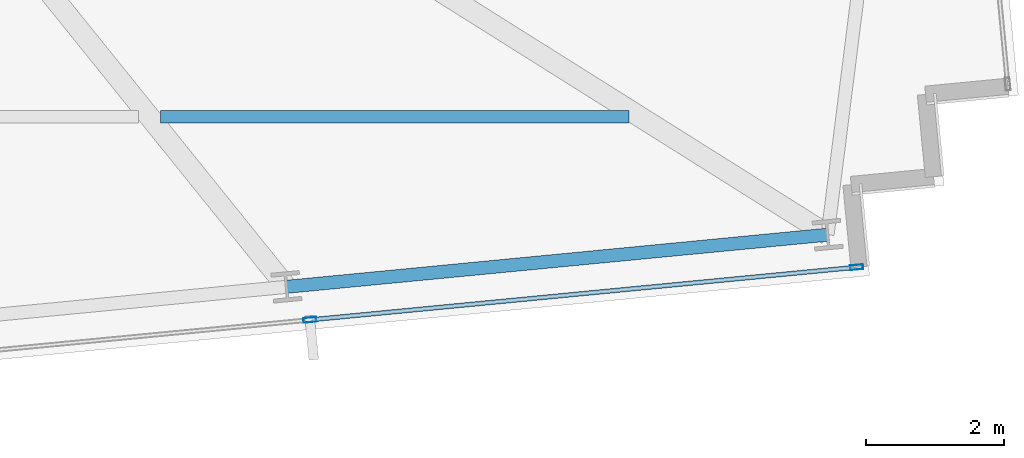
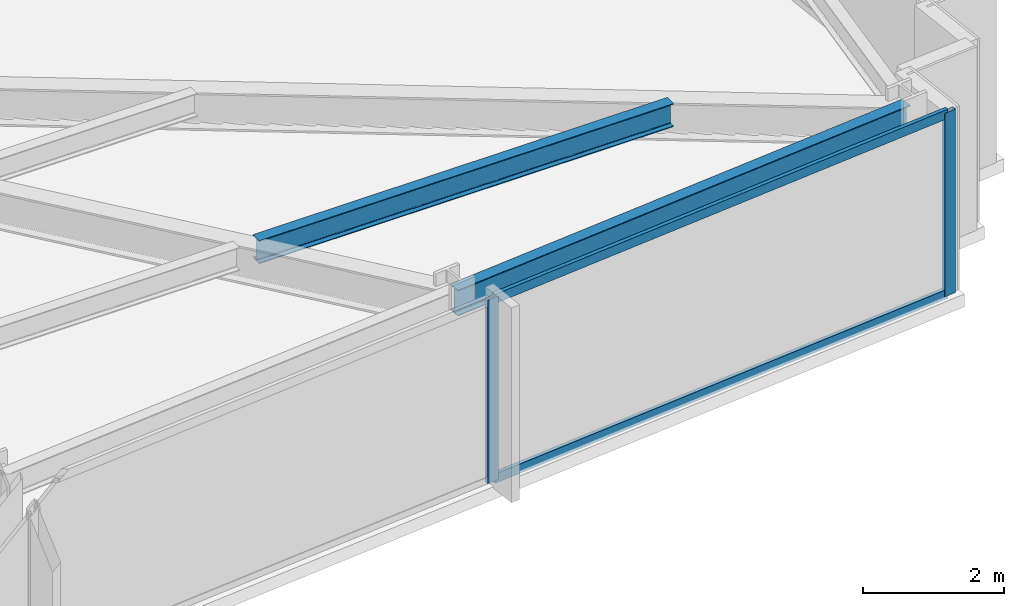
# One storey, part 12 of 32: 4 members, 2 beams, 1 element without a shape of its own.
"""IFC4 building model written with IfcOpenShell, lengths in metres."""

from ifc_helpers import new_model, si_unit, direction, frame, origin, origin_2d, place, context, subcontext, project, spatial, hollow_rectangle, i_section, extrude, material, material_profile, profile_set, type_object, element, aggregate, save


model = new_model("IFC4")

# Units and contexts
model_context = context("Model", 3, precision=1e-05, world=origin(), true_north=direction((0.0, 1.0)))
body_context = subcontext(model_context, "Body", "Model", "MODEL_VIEW")
ifc_project = project(units=[si_unit("LENGTHUNIT", "METRE"), si_unit("AREAUNIT", "SQUARE_METRE"), si_unit("VOLUMEUNIT", "CUBIC_METRE"), si_unit("PLANEANGLEUNIT", "RADIAN"), si_unit("MASSUNIT", "GRAM", prefix="KILO")], contexts=[model_context])

# Site, building, storey
site_placement = place(None, origin())
site = spatial("IfcSite", under=ifc_project, at=site_placement, CompositionType="ELEMENT")
building_placement = place(site_placement, origin())
building = spatial("IfcBuilding", under=site, at=building_placement, Name="Yelkora Congress Tower", CompositionType="ELEMENT")
storey_placement = place(building_placement, frame((0.0, 0.0, 113.5)))
storey = spatial("IfcBuildingStorey", under=building, at=storey_placement, Name="L30", CompositionType="ELEMENT", Elevation=113.5)

# Beams
ifc_material_1 = material(Name="Steel S355J2", Category="steel")
ifc_material_profile_1 = material_profile(ifc_material_1, i_section(OverallWidth=0.179931640625, OverallDepth=0.39990234375, WebThickness=0.008544921875, FlangeThickness=0.013427734375, FilletRadius=0.02099609375, at=origin_2d()), Name="IPE 400")
ifc_profile_set_1 = profile_set([ifc_material_profile_1], Name="Steel S355J2")
beam_type_1 = type_object("IfcBeamType", Name="BM-JOIST-IPE400", PredefinedType="JOIST", material=ifc_profile_set_1)
beam_1_placement = place(storey_placement, frame((65.056396484375, 16.144287109375, 2.97998046875), z_axis=(1.0, 0.0, 0.0), x_axis=(0.0, 1.0, 0.0)))
element("IfcBeam", 1, at=beam_1_placement, inside=storey, type_object=beam_type_1, Name="L30 Composite Floor Joist 10", PredefinedType="JOIST", context=body_context, shape_type="SweptSolid", body=[
    extrude(i_section(OverallWidth=0.179931640625, OverallDepth=0.39990234375, WebThickness=0.008544921875, FlangeThickness=0.013427734375, FilletRadius=0.02099609375, at=origin_2d()), origin(), (0.0, 0.0, 1.0), 6.795166015625),
])
ifc_material_profile_2 = material_profile(ifc_material_1, i_section(OverallWidth=0.18994140625, OverallDepth=0.449951171875, WebThickness=0.009521484375, FlangeThickness=0.0146484375, FilletRadius=0.02099609375, at=origin_2d()), Name="IPE 450")
ifc_profile_set_2 = profile_set([ifc_material_profile_2], Name="Steel S355J2")
beam_type_2 = type_object("IfcBeamType", Name="BM-SPAN-IPE450", PredefinedType="SPANDREL", material=ifc_profile_set_2)
beam_2_placement = place(storey_placement, frame((66.882568359375, 13.67919921875, 2.955078125), z_axis=(0.995395575667, 0.095852219286, 0.0), x_axis=(-0.095852219286, 0.995395575667, 0.0)))
element("IfcBeam", 2, at=beam_2_placement, inside=storey, type_object=beam_type_2, Name="L30 Perimeter Beam 9", PredefinedType="SPANDREL", context=body_context, shape_type="SweptSolid", body=[
    extrude(i_section(OverallWidth=0.18994140625, OverallDepth=0.449951171875, WebThickness=0.009521484375, FlangeThickness=0.0146484375, FilletRadius=0.02099609375, at=origin_2d()), origin(), (0.0, 0.0, 1.0), 7.8857421875),
])

# Curtain wall, members
ifc_material_2 = material(Name="Anodised aluminium and insulated glass", Category="aluminium")
curtain_wall_type = type_object("IfcCurtainWallType", Name="CW-SYS-B2", PredefinedType="NOTDEFINED", material=ifc_material_2)
curtain_wall_placement = place(storey_placement, origin())
curtain_wall = element("IfcCurtainWall", 3, at=curtain_wall_placement, inside=storey, type_object=curtain_wall_type, Name="L30 Unitised Curtain Wall 20", PredefinedType="NOTDEFINED")
ifc_material_3 = material(Name="Anodised aluminium 6063-T6", Category="aluminium")
ifc_material_profile_3 = material_profile(ifc_material_3, hollow_rectangle(XDim=0.070068359375, YDim=0.18994140625, WallThickness=0.00390625, at=origin_2d()), Name="ALU 70x190x4")
ifc_profile_set_3 = profile_set([ifc_material_profile_3], Name="Anodised aluminium 6063-T6")
member_type_1 = type_object("IfcMemberType", Name="MEM-ML-B2", PredefinedType="MULLION", material=ifc_profile_set_3)
member_1_placement = place(storey_placement, frame((75.154052734375, 13.96337890625, 0.0), z_axis=(0.0, 0.0, 1.0), x_axis=(0.095844345816, -0.995396333816, 0.0)))
member_1 = element("IfcMember", 4, at=member_1_placement, type_object=member_type_1, Name="CW-B2 mullion 1", PredefinedType="MULLION", context=body_context, shape_type="SweptSolid", body=[
    extrude(hollow_rectangle(XDim=0.070068359375, YDim=0.18994140625, WallThickness=0.00390625, at=origin_2d()), origin(), (0.0, 0.0, 1.0), 3.179931640625),
])
member_2_placement = place(storey_placement, frame((67.222900390625, 13.19970703125, 0.0), z_axis=(0.0, 0.0, 1.0), x_axis=(0.095844345816, -0.995396333816, 0.0)))
member_2 = element("IfcMember", 5, at=member_2_placement, type_object=member_type_1, Name="CW-B2 mullion 2", PredefinedType="MULLION", context=body_context, shape_type="SweptSolid", body=[
    extrude(hollow_rectangle(XDim=0.070068359375, YDim=0.18994140625, WallThickness=0.00390625, at=origin_2d()), origin(), (0.0, 0.0, 1.0), 3.179931640625),
])
ifc_material_profile_4 = material_profile(ifc_material_3, hollow_rectangle(XDim=0.06494140625, YDim=0.159912109375, WallThickness=0.00390625, at=origin_2d()), Name="ALU 65x160x4")
ifc_profile_set_4 = profile_set([ifc_material_profile_4], Name="Anodised aluminium 6063-T6")
member_type_2 = type_object("IfcMemberType", Name="MEM-TR-B2", PredefinedType="USERDEFINED", material=ifc_profile_set_4)
member_3_placement = place(storey_placement, frame((75.119140625, 13.9599609375, 0.032470703125), z_axis=(-0.995397978421, -0.095827264157, 0.0), x_axis=(0.095827264157, -0.995397978421, 0.0)))
member_3 = element("IfcMember", 6, at=member_3_placement, type_object=member_type_2, Name="CW-B2 transom 1.1", ObjectType="TRANSOM", PredefinedType="USERDEFINED", context=body_context, shape_type="SweptSolid", body=[
    extrude(hollow_rectangle(XDim=0.06494140625, YDim=0.159912109375, WallThickness=0.00390625, at=origin_2d()), origin(), (0.0, 0.0, 1.0), 7.89794921875),
])
member_4_placement = place(storey_placement, frame((75.119140625, 13.9599609375, 3.1474609375), z_axis=(-0.995397978421, -0.095827264157, 0.0), x_axis=(0.095827264157, -0.995397978421, 0.0)))
member_4 = element("IfcMember", 7, at=member_4_placement, type_object=member_type_2, Name="CW-B2 transom 1.2", ObjectType="TRANSOM", PredefinedType="USERDEFINED", context=body_context, shape_type="SweptSolid", body=[
    extrude(hollow_rectangle(XDim=0.06494140625, YDim=0.159912109375, WallThickness=0.00390625, at=origin_2d()), origin(), (0.0, 0.0, 1.0), 7.89794921875),
])
aggregate(curtain_wall, [member_1, member_2, member_3, member_4])

save(model, "model.ifc")
